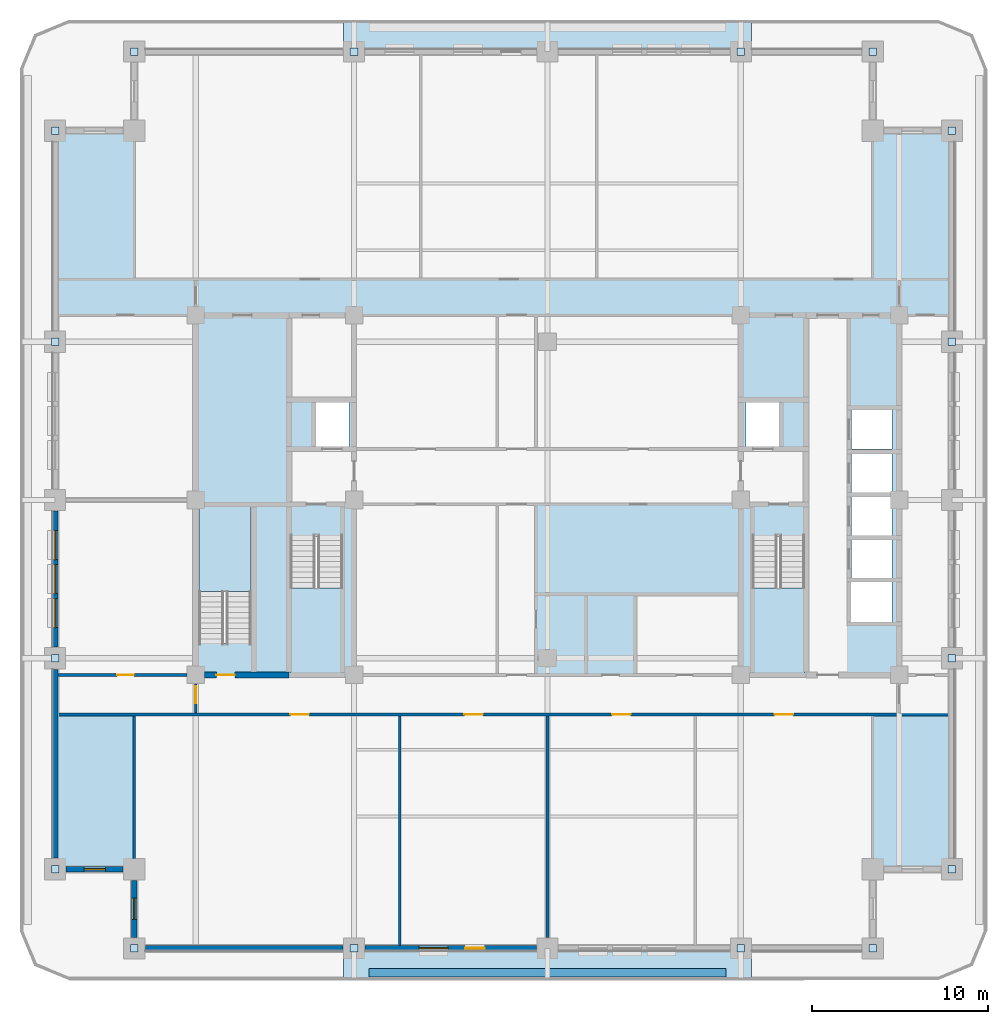
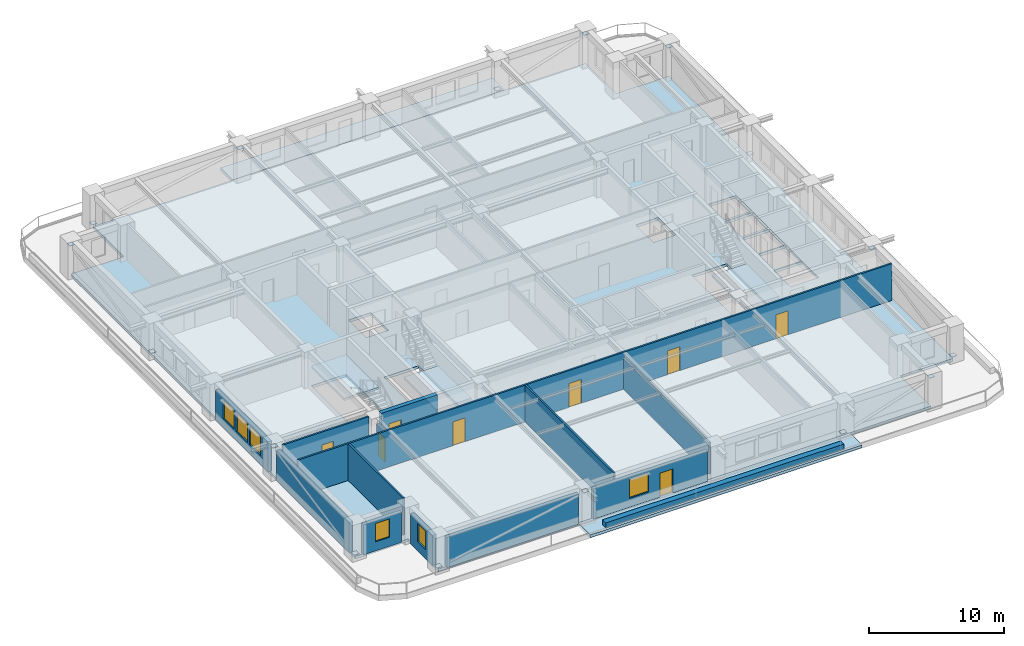
# One storey, part 2 of 14: 16 plates, 14 walls, 8 doors, 6 slabs, 6 windows, 14 openings, 3 elements without a shape of their own.
"""IFC4 building model written with IfcOpenShell, lengths in metres."""

from ifc_helpers import new_model, si_unit, direction, frame, frame_2d, origin, origin_2d, place, context, subcontext, project, spatial, polyline, rectangle, outline, extrude, material, layer, layer_set, type_object, element, fill, aggregate, save


model = new_model("IFC4")

# Units and contexts
model_context = context("Model", 3, precision=1e-05, world=origin(), true_north=direction((0.0, 1.0)))
body_context = subcontext(model_context, "Body", "Model", "MODEL_VIEW")
ifc_project = project(units=[si_unit("LENGTHUNIT", "METRE"), si_unit("AREAUNIT", "SQUARE_METRE"), si_unit("VOLUMEUNIT", "CUBIC_METRE"), si_unit("PLANEANGLEUNIT", "RADIAN"), si_unit("MASSUNIT", "GRAM", prefix="KILO")], contexts=[model_context])

# Site, building, storey
site_placement = place(None, origin())
site = spatial("IfcSite", under=ifc_project, at=site_placement, CompositionType="ELEMENT")
building_placement = place(site_placement, origin())
building = spatial("IfcBuilding", under=site, at=building_placement, Name="Zulmaris Gate Convention Tower", CompositionType="ELEMENT")
storey_placement = place(building_placement, frame((0.0, 0.0, 135.6298828125)))
storey = spatial("IfcBuildingStorey", under=building, at=storey_placement, Name="L34", CompositionType="ELEMENT", Elevation=135.6298828125)

# Plates
ifc_material_1 = material(Name="Steel S460", Category="steel")
ifc_layer_1 = layer(ifc_material_1, 0.02490234375, Name="Steel S460")
ifc_layer_set_1 = layer_set([ifc_layer_1], Name="Steel S460")
plate_type = type_object("IfcPlateType", Name="NP-CAP-440", PredefinedType="USERDEFINED", material=ifc_layer_set_1)
for number, where, z_axis, x_axis, name in (
    (1, (-28.0, -21.0, 0.28759765625), (0.0, 0.0, 1.0), (1.0, 0.0, 0.0), "L34 Steel Node Plate PBR-L34-SW-W-CAP"),
    (2, (-28.0, -9.0, 2.687744140625), (0.0, 0.0, 1.0), (1.0, 0.0, 0.0), "L34 Steel Node Plate PBR-L34-SW-W-CAPB"),
    (3, (-28.0, 9.0, 0.28759765625), (0.0, 0.0, 1.0), (1.0, 0.0, 0.0), "L34 Steel Node Plate PBR-L34-NW-W-CAP"),
    (4, (-28.0, 21.0, 2.687744140625), (0.0, 0.0, 1.0), (1.0, 0.0, 0.0), "L34 Steel Node Plate PBR-L34-NW-W-CAPB"),
    (5, (23.0, -21.0, 0.28759765625), (0.0, 0.0, 1.0), (1.0, 0.0, 0.0), "L34 Steel Node Plate PBR-L34-SE-E-CAP"),
    (6, (23.0, -9.0, 2.687744140625), (0.0, 0.0, 1.0), (1.0, 0.0, 0.0), "L34 Steel Node Plate PBR-L34-SE-E-CAPB"),
    (7, (23.0, 9.0, 0.28759765625), (0.0, 0.0, 1.0), (1.0, 0.0, 0.0), "L34 Steel Node Plate PBR-L34-NE-E-CAP"),
    (8, (23.0, 21.0, 2.687744140625), (0.0, 0.0, 1.0), (1.0, 0.0, 0.0), "L34 Steel Node Plate PBR-L34-NE-E-CAPB"),
    (9, (-23.5, -25.5, 0.28759765625), (0.0, 0.0, 1.0), (1.0, 0.0, 0.0), "L34 Steel Node Plate PBR-L34-SW-S-CAP"),
    (10, (-11.0, -25.5, 2.687744140625), (0.0, 0.0, 1.0), (1.0, 0.0, 0.0), "L34 Steel Node Plate PBR-L34-SW-S-CAPB"),
    (11, (11.0, -25.5, 0.28759765625), (0.0, 0.0, 1.0), (1.0, 0.0, 0.0), "L34 Steel Node Plate PBR-L34-SE-S-CAP"),
    (12, (18.5, -25.5, 2.687744140625), (0.0, 0.0, 1.0), (1.0, 0.0, 0.0), "L34 Steel Node Plate PBR-L34-SE-S-CAPB"),
    (13, (-23.5, 25.5, 0.28759765625), (0.0, 0.0, 1.0), (1.0, 0.0, 0.0), "L34 Steel Node Plate PBR-L34-NW-N-CAP"),
    (14, (-11.0, 25.5, 2.687744140625), (0.0, 0.0, 1.0), (1.0, 0.0, 0.0), "L34 Steel Node Plate PBR-L34-NW-N-CAPB"),
    (15, (11.0, 25.5, 0.28759765625), (0.0, 0.0, 1.0), (1.0, 0.0, 0.0), "L34 Steel Node Plate PBR-L34-NE-N-CAP"),
    (16, (18.5, 25.5, 2.687744140625), (0.0, 0.0, 1.0), (1.0, 0.0, 0.0), "L34 Steel Node Plate PBR-L34-NE-N-CAPB"),
):
    element("IfcPlate", number, at=place(storey_placement, frame(where, z_axis=z_axis, x_axis=x_axis)), inside=storey, type_object=plate_type, Name=name, ObjectType="FLANGE PLATE", PredefinedType="USERDEFINED", context=body_context, shape_type="SweptSolid", body=[
        extrude(rectangle(XDim=0.43994140625, YDim=0.43994140625, at=origin_2d()), origin(), (0.0, 0.0, 1.0), 0.02490234375),
    ])

# Slabs
ifc_material_2 = material(Name="Precast concrete C50/60", Category="concrete")
ifc_layer_2 = layer(ifc_material_2, 0.260009765625, Name="Precast concrete C50/60")
ifc_layer_set_2 = layer_set([ifc_layer_2], Name="Precast concrete C50/60")
slab_type_1 = type_object("IfcSlabType", Name="SL-BAL-260", PredefinedType="FLOOR", material=ifc_layer_set_2)
slab_1_placement = place(storey_placement, frame((0.0, 0.0, -0.25)))
element("IfcSlab", 17, at=slab_1_placement, inside=storey, type_object=slab_type_1, Name="L34 South Tree-Balcony Planter Slab", PredefinedType="FLOOR", context=body_context, shape_type="SweptSolid", body=[
    extrude(outline(polyline([(-11.597900390625, -27.300048828125), (-11.597900390625, -25.5), (11.597900390625, -25.5), (11.597900390625, -27.300048828125), (-11.597900390625, -27.300048828125)])), origin(), (0.0, 0.0, 1.0), 0.260009765625),
])
slab_2_placement = place(storey_placement, frame((0.0, 0.0, -0.25)))
element("IfcSlab", 18, at=slab_2_placement, inside=storey, type_object=slab_type_1, Name="L34 North Tree-Balcony Planter Slab", PredefinedType="FLOOR", context=body_context, shape_type="SweptSolid", body=[
    extrude(outline(polyline([(11.597900390625, 27.300048828125), (11.597900390625, 25.5), (-11.597900390625, 25.5), (-11.597900390625, 27.300048828125), (11.597900390625, 27.300048828125)])), origin(), (0.0, 0.0, 1.0), 0.260009765625),
])
ifc_material_3 = material(Name="Concrete C50/60", Category="concrete")
ifc_layer_3 = layer(ifc_material_3, 0.25, Name="Concrete C50/60")
ifc_layer_set_3 = layer_set([ifc_layer_3], Name="Concrete C50/60")
slab_type_2 = type_object("IfcSlabType", Name="SL-FLR-250", PredefinedType="FLOOR", material=ifc_layer_set_3)
slab_3_placement = place(storey_placement, frame((0.0, 0.0, -0.25)))
element("IfcSlab", 19, at=slab_3_placement, inside=storey, type_object=slab_type_2, Name="L34 Shifted Notched-Square Structural Floor Slab", PredefinedType="FLOOR", context=body_context, shape_type="SweptSolid", body=[
    extrude(outline(polyline([(-23.5, -25.5), (18.5, -25.5), (18.5, -21.0), (23.0, -21.0), (23.0, 21.0), (18.5, 21.0), (18.5, 25.5), (-23.5, 25.5), (-23.5, 21.0), (-28.0, 21.0), (-28.0, -21.0), (-23.5, -21.0), (-23.5, -25.5)]), holes=[polyline([(-14.6201171875, -2.080078125), (-14.6201171875, -9.85009765625), (-11.659912109375, -9.85009765625), (-11.659912109375, -2.080078125), (-14.6201171875, -2.080078125)]), polyline([(11.659912109375, -2.080078125), (11.659912109375, -9.85009765625), (14.6201171875, -9.85009765625), (14.6201171875, -2.080078125), (11.659912109375, -2.080078125)]), polyline([(-16.860107421875, -8.1201171875), (-16.860107421875, -0.35009765625), (-19.820068359375, -0.35009765625), (-19.820068359375, -8.1201171875), (-16.860107421875, -8.1201171875)]), polyline([(-13.199951171875, 3.0), (-11.300048828125, 3.0), (-11.300048828125, 5.60009765625), (-13.199951171875, 5.60009765625), (-13.199951171875, 3.0)]), polyline([(11.300048828125, 3.0), (13.199951171875, 3.0), (13.199951171875, 5.60009765625), (11.300048828125, 5.60009765625), (11.300048828125, 3.0)]), polyline([(17.199951171875, -7.0), (19.60009765625, -7.0), (19.60009765625, -4.60009765625), (17.199951171875, -4.60009765625), (17.199951171875, -7.0)]), polyline([(17.300048828125, -4.5), (19.60009765625, -4.5), (19.60009765625, -2.199951171875), (17.300048828125, -2.199951171875), (17.300048828125, -4.5)]), polyline([(17.300048828125, -2.10009765625), (19.60009765625, -2.10009765625), (19.60009765625, 0.199951171875), (17.300048828125, 0.199951171875), (17.300048828125, -2.10009765625)]), polyline([(17.300048828125, 0.39990234375), (19.60009765625, 0.39990234375), (19.60009765625, 2.699951171875), (17.300048828125, 2.699951171875), (17.300048828125, 0.39990234375)]), polyline([(17.300048828125, 2.89990234375), (19.60009765625, 2.89990234375), (19.60009765625, 5.199951171875), (17.300048828125, 5.199951171875), (17.300048828125, 2.89990234375)])]), origin(), (0.0, 0.0, 1.0), 0.25),
])

# Stair, slab
ifc_material_4 = material(Name="Concrete C45/55", Category="concrete")
stair_type = type_object("IfcStairType", Name="ST-CORE-DOGLEG", PredefinedType="HALF_TURN_STAIR", material=ifc_material_4)
stair_1_placement = place(storey_placement, origin())
stair_1 = element("IfcStair", 20, at=stair_1_placement, inside=storey, type_object=stair_type, Name="L34 Core Exit Stair ST-1", PredefinedType="HALF_TURN_STAIR")
ifc_layer_4 = layer(ifc_material_4, 0.199951171875, Name="Concrete C45/55")
ifc_layer_set_4 = layer_set([ifc_layer_4], Name="Concrete C45/55")
slab_type_3 = type_object("IfcSlabType", Name="SL-LND-200", PredefinedType="LANDING", material=ifc_layer_set_4)
slab_4_placement = place(storey_placement, frame((0.0, 0.0, 1.5849609375)))
slab_4 = element("IfcSlab", 21, at=slab_4_placement, type_object=slab_type_3, Name="ST-1 landing 1", PredefinedType="LANDING", context=body_context, shape_type="SweptSolid", body=[
    extrude(outline(polyline([(-14.6201171875, -5.0), (-14.6201171875, -9.85009765625), (-11.659912109375, -9.85009765625), (-11.659912109375, -5.0), (-14.6201171875, -5.0)])), origin(), (0.0, 0.0, 1.0), 0.2001953125),
])
aggregate(stair_1, [slab_4])

stair_2_placement = place(storey_placement, origin())
stair_2 = element("IfcStair", 22, at=stair_2_placement, inside=storey, type_object=stair_type, Name="L34 Core Exit Stair ST-2", PredefinedType="HALF_TURN_STAIR")
slab_5_placement = place(storey_placement, frame((0.0, 0.0, 1.5849609375)))
slab_5 = element("IfcSlab", 23, at=slab_5_placement, type_object=slab_type_3, Name="ST-2 landing 1", PredefinedType="LANDING", context=body_context, shape_type="SweptSolid", body=[
    extrude(outline(polyline([(11.659912109375, -5.0), (11.659912109375, -9.85009765625), (14.6201171875, -9.85009765625), (14.6201171875, -5.0), (11.659912109375, -5.0)])), origin(), (0.0, 0.0, 1.0), 0.2001953125),
])
aggregate(stair_2, [slab_5])

stair_3_placement = place(storey_placement, origin())
stair_3 = element("IfcStair", 24, at=stair_3_placement, inside=storey, type_object=stair_type, Name="L34 Core Exit Stair ST-3", PredefinedType="HALF_TURN_STAIR")
slab_6_placement = place(storey_placement, frame((0.0, 0.0, 1.5849609375)))
slab_6 = element("IfcSlab", 25, at=slab_6_placement, type_object=slab_type_3, Name="ST-3 landing 1", PredefinedType="LANDING", context=body_context, shape_type="SweptSolid", body=[
    extrude(outline(polyline([(-16.860107421875, -5.199951171875), (-16.860107421875, -0.35009765625), (-19.820068359375, -0.35009765625), (-19.820068359375, -5.199951171875), (-16.860107421875, -5.199951171875)])), origin(), (0.0, 0.0, 1.0), 0.2001953125),
])
aggregate(stair_3, [slab_6])

# Wall, opening, door
ifc_material_5 = material(Name="Concrete C55/67", Category="concrete")
ifc_layer_5 = layer(ifc_material_5, 0.35009765625, Name="Concrete C55/67")
ifc_layer_set_5 = layer_set([ifc_layer_5], Name="Concrete C55/67")
wall_type_1 = type_object("IfcWallType", Name="CORE-350", PredefinedType="SHEAR", material=ifc_layer_set_5)
wall_1_placement = place(storey_placement, frame((-19.49609375, -9.949951171875, 0.0), z_axis=(0.0, 0.0, 1.0), x_axis=(1.0, 0.0, 0.0)))
wall_1 = element("IfcWall", 26, at=wall_1_placement, inside=storey, type_object=wall_type_1, Name="WL-L34-001", PredefinedType="SHEAR", context=body_context, shape_type="SweptSolid", body=[
    extrude(rectangle(XDim=4.796142578125, YDim=0.35009765625, at=frame_2d((2.39794921875, 0.0))), origin(), (0.0, 0.0, 1.0), 3.320068359375),
])
opening_1_placement = place(wall_1_placement, frame((0.6708984375, 0.0, 0.0)))
opening_1 = element("IfcOpeningElement", 27, at=opening_1_placement, cuts=wall_1, Name="Opening D-09", PredefinedType="OPENING", context=body_context, shape_type="SweptSolid", body=[
    extrude(rectangle(XDim=1.050048828125, YDim=2.14990234375, at=frame_2d((0.52490234375, 1.074951171875))), frame((0.0, 0.18505859375, 0.0), z_axis=(0.0, -1.0, 0.0), x_axis=(1.0, 0.0, 0.0)), (0.0, 0.0, 1.0), 0.3701171875),
])
ifc_material_6 = material(Name="Fire-Rated Steel", Category="steel")
door_type_1 = type_object("IfcDoorType", Name="DR-1050-FD", OperationType="NOTDEFINED", PredefinedType="DOOR", material=ifc_material_6)
door_1_placement = place(opening_1_placement, origin())
door_1 = element("IfcDoor", 28, at=door_1_placement, inside=storey, type_object=door_type_1, Name="L34 Exit Stair ST-3 Door 09", OperationType="SINGLE_SWING_RIGHT", OverallHeight=2.14990234375, OverallWidth=1.050048828125, PredefinedType="DOOR", context=body_context, shape_type="SweptSolid", body=[
    extrude(rectangle(XDim=1.050048828125, YDim=2.14990234375, at=frame_2d((0.52490234375, 1.074951171875))), frame((0.0, 0.02490234375, 0.0), z_axis=(0.0, -1.0, 0.0), x_axis=(1.0, 0.0, 0.0)), (0.0, 0.0, 1.0), 0.050048828125),
])
fill(opening_1, door_1)

# Wall, openings, doors
ifc_material_7 = material(Name="Gypsum Metal Stud Partition")
ifc_layer_6 = layer(ifc_material_7, 0.14990234375, Name="Gypsum Metal Stud Partition")
ifc_layer_set_6 = layer_set([ifc_layer_6], Name="Gypsum Metal Stud Partition")
wall_type_2 = type_object("IfcWallType", Name="PART-150", PredefinedType="PARTITIONING", material=ifc_layer_set_6)
wall_2_placement = place(storey_placement, frame((-27.8349609375, -12.199951171875, 0.0), z_axis=(0.0, 0.0, 1.0), x_axis=(1.0, 0.0, 0.0)))
wall_2 = element("IfcWall", 29, at=wall_2_placement, inside=storey, type_object=wall_type_2, Name="WL-L34-021", PredefinedType="PARTITIONING", context=body_context, shape_type="SweptSolid", body=[
    extrude(rectangle(XDim=50.669921875, YDim=0.14990234375, at=frame_2d((25.3349609375, 0.0))), origin(), (0.0, 0.0, 1.0), 3.320068359375),
])
opening_2_placement = place(wall_2_placement, frame((13.2099609375, 0.0, 0.0)))
opening_2 = element("IfcOpeningElement", 30, at=opening_2_placement, cuts=wall_2, Name="Opening D-09", PredefinedType="OPENING", context=body_context, shape_type="SweptSolid", body=[
    extrude(rectangle(XDim=1.050048828125, YDim=2.14990234375, at=frame_2d((0.52490234375, 1.074951171875))), frame((0.0, 0.0849609375, 0.0), z_axis=(0.0, -1.0, 0.0), x_axis=(1.0, 0.0, 0.0)), (0.0, 0.0, 1.0), 0.169921875),
])
opening_3_placement = place(wall_2_placement, frame((23.110107421875, 0.0, 0.0)))
opening_3 = element("IfcOpeningElement", 31, at=opening_3_placement, cuts=wall_2, Name="Opening D-09", PredefinedType="OPENING", context=body_context, shape_type="SweptSolid", body=[
    extrude(rectangle(XDim=1.050048828125, YDim=2.14990234375, at=frame_2d((0.52490234375, 1.074951171875))), frame((0.0, 0.0849609375, 0.0), z_axis=(0.0, -1.0, 0.0), x_axis=(1.0, 0.0, 0.0)), (0.0, 0.0, 1.0), 0.169921875),
])
opening_4_placement = place(wall_2_placement, frame((31.510009765625, 0.0, 0.0)))
opening_4 = element("IfcOpeningElement", 32, at=opening_4_placement, cuts=wall_2, Name="Opening D-09", PredefinedType="OPENING", context=body_context, shape_type="SweptSolid", body=[
    extrude(rectangle(XDim=1.050048828125, YDim=2.14990234375, at=frame_2d((0.52490234375, 1.074951171875))), frame((0.0, 0.0849609375, 0.0), z_axis=(0.0, -1.0, 0.0), x_axis=(1.0, 0.0, 0.0)), (0.0, 0.0, 1.0), 0.169921875),
])
opening_5_placement = place(wall_2_placement, frame((40.760009765625, 0.0, 0.0)))
opening_5 = element("IfcOpeningElement", 33, at=opening_5_placement, cuts=wall_2, Name="Opening D-09", PredefinedType="OPENING", context=body_context, shape_type="SweptSolid", body=[
    extrude(rectangle(XDim=1.050048828125, YDim=2.14990234375, at=frame_2d((0.52490234375, 1.074951171875))), frame((0.0, 0.0849609375, 0.0), z_axis=(0.0, -1.0, 0.0), x_axis=(1.0, 0.0, 0.0)), (0.0, 0.0, 1.0), 0.169921875),
])
door_2_placement = place(opening_2_placement, origin())
door_2 = element("IfcDoor", 34, at=door_2_placement, inside=storey, type_object=door_type_1, Name="L34 Delegate Business Lounge Door 25", OperationType="SINGLE_SWING_RIGHT", OverallHeight=2.14990234375, OverallWidth=1.050048828125, PredefinedType="DOOR", context=body_context, shape_type="SweptSolid", body=[
    extrude(rectangle(XDim=1.050048828125, YDim=2.14990234375, at=frame_2d((0.52490234375, 1.074951171875))), frame((0.0, 0.02490234375, 0.0), z_axis=(0.0, -1.0, 0.0), x_axis=(1.0, 0.0, 0.0)), (0.0, 0.0, 1.0), 0.050048828125),
])
fill(opening_2, door_2)
door_3_placement = place(opening_3_placement, origin())
door_3 = element("IfcDoor", 35, at=door_3_placement, inside=storey, type_object=door_type_1, Name="L34 Commercial Advisory Office Door 26", OperationType="SINGLE_SWING_LEFT", OverallHeight=2.14990234375, OverallWidth=1.050048828125, PredefinedType="DOOR", context=body_context, shape_type="SweptSolid", body=[
    extrude(rectangle(XDim=1.050048828125, YDim=2.14990234375, at=frame_2d((0.52490234375, 1.074951171875))), frame((0.0, 0.02490234375, 0.0), z_axis=(0.0, -1.0, 0.0), x_axis=(1.0, 0.0, 0.0)), (0.0, 0.0, 1.0), 0.050048828125),
])
fill(opening_3, door_3)
door_4_placement = place(opening_4_placement, origin())
door_4 = element("IfcDoor", 36, at=door_4_placement, inside=storey, type_object=door_type_1, Name="L34 Regional Corporate Office Door 27", OperationType="SINGLE_SWING_RIGHT", OverallHeight=2.14990234375, OverallWidth=1.050048828125, PredefinedType="DOOR", context=body_context, shape_type="SweptSolid", body=[
    extrude(rectangle(XDim=1.050048828125, YDim=2.14990234375, at=frame_2d((0.52490234375, 1.074951171875))), frame((0.0, 0.02490234375, 0.0), z_axis=(0.0, -1.0, 0.0), x_axis=(1.0, 0.0, 0.0)), (0.0, 0.0, 1.0), 0.050048828125),
])
fill(opening_4, door_4)
door_5_placement = place(opening_5_placement, origin())
door_5 = element("IfcDoor", 37, at=door_5_placement, inside=storey, type_object=door_type_1, Name="L34 Client Practice Studio Door 28", OperationType="SINGLE_SWING_LEFT", OverallHeight=2.14990234375, OverallWidth=1.050048828125, PredefinedType="DOOR", context=body_context, shape_type="SweptSolid", body=[
    extrude(rectangle(XDim=1.050048828125, YDim=2.14990234375, at=frame_2d((0.52490234375, 1.074951171875))), frame((0.0, 0.02490234375, 0.0), z_axis=(0.0, -1.0, 0.0), x_axis=(1.0, 0.0, 0.0)), (0.0, 0.0, 1.0), 0.050048828125),
])
fill(opening_5, door_5)

# Wall, opening, door
wall_3_placement = place(storey_placement, frame((-27.8349609375, -9.949951171875, 0.0), z_axis=(0.0, 0.0, 1.0), x_axis=(1.0, 0.0, 0.0)))
wall_3 = element("IfcWall", 38, at=wall_3_placement, inside=storey, type_object=wall_type_2, Name="WL-L34-022", PredefinedType="PARTITIONING", context=body_context, shape_type="SweptSolid", body=[
    extrude(rectangle(XDim=7.328857421875, YDim=0.14990234375, at=frame_2d((3.66455078125, 0.0))), origin(), (0.0, 0.0, 1.0), 3.320068359375),
])
opening_6_placement = place(wall_3_placement, frame((3.360107421875, 0.0, 0.0)))
opening_6 = element("IfcOpeningElement", 39, at=opening_6_placement, cuts=wall_3, Name="Opening D-11", PredefinedType="OPENING", context=body_context, shape_type="SweptSolid", body=[
    extrude(rectangle(XDim=0.949951171875, YDim=2.14990234375, at=frame_2d((0.47509765625, 1.074951171875))), frame((0.0, 0.0849609375, 0.0), z_axis=(0.0, -1.0, 0.0), x_axis=(1.0, 0.0, 0.0)), (0.0, 0.0, 1.0), 0.169921875),
])
ifc_material_8 = material(Name="Fire-Rated Timber", Category="wood")
door_type_2 = type_object("IfcDoorType", Name="DR-950-FD", OperationType="NOTDEFINED", PredefinedType="DOOR", material=ifc_material_8)
door_6_placement = place(opening_6_placement, origin())
door_6 = element("IfcDoor", 40, at=door_6_placement, inside=storey, type_object=door_type_2, Name="L34 SW Partner Door 39", OperationType="SINGLE_SWING_RIGHT", OverallHeight=2.14990234375, OverallWidth=0.949951171875, PredefinedType="DOOR", context=body_context, shape_type="SweptSolid", body=[
    extrude(rectangle(XDim=0.949951171875, YDim=2.14990234375, at=frame_2d((0.47509765625, 1.074951171875))), frame((0.0, 0.02490234375, 0.0), z_axis=(0.0, -1.0, 0.0), x_axis=(1.0, 0.0, 0.0)), (0.0, 0.0, 1.0), 0.050048828125),
])
fill(opening_6, door_6)

# Wall
wall_4_placement = place(storey_placement, frame((-23.5, -20.39404296875, 0.0), z_axis=(0.0, 0.0, 1.0), x_axis=(0.0, 1.0, 0.0)))
element("IfcWall", 41, at=wall_4_placement, inside=storey, type_object=wall_type_2, Name="WL-L34-068", PredefinedType="PARTITIONING", context=body_context, shape_type="SweptSolid", body=[
    extrude(rectangle(XDim=8.115966796875, YDim=0.14990234375, at=frame_2d((4.05810546875, 0.0))), origin(), (0.0, 0.0, 1.0), 3.320068359375),
])

# Wall, opening, door
wall_5_placement = place(storey_placement, frame((-20.0, -12.1220703125, 0.0), z_axis=(0.0, 0.0, 1.0), x_axis=(0.0, 1.0, 0.0)))
wall_5 = element("IfcWall", 42, at=wall_5_placement, inside=storey, type_object=wall_type_2, Name="WL-L34-070", PredefinedType="PARTITIONING", context=body_context, shape_type="SweptSolid", body=[
    extrude(rectangle(XDim=1.666015625, YDim=0.14990234375, at=frame_2d((0.8330078125, 0.0))), origin(), (0.0, 0.0, 1.0), 2.81005859375),
])
opening_7_placement = place(wall_5_placement, frame((0.56591796875, 0.0, 0.0)))
opening_7 = element("IfcOpeningElement", 43, at=opening_7_placement, cuts=wall_5, Name="Opening D-11", PredefinedType="OPENING", context=body_context, shape_type="SweptSolid", body=[
    extrude(rectangle(XDim=0.949951171875, YDim=2.14990234375, at=frame_2d((0.47509765625, 1.074951171875))), frame((0.0, 0.0849609375, 0.0), z_axis=(0.0, -1.0, 0.0), x_axis=(1.0, 0.0, 0.0)), (0.0, 0.0, 1.0), 0.169921875),
])
door_7_placement = place(opening_7_placement, origin())
door_7 = element("IfcDoor", 44, at=door_7_placement, inside=storey, type_object=door_type_2, Name="L34 SW Spur Door 37", OperationType="SINGLE_SWING_RIGHT", OverallHeight=2.14990234375, OverallWidth=0.949951171875, PredefinedType="DOOR", context=body_context, shape_type="SweptSolid", body=[
    extrude(rectangle(XDim=0.949951171875, YDim=2.14990234375, at=frame_2d((0.47509765625, 1.074951171875))), frame((0.0, 0.02490234375, 0.0), z_axis=(0.0, -1.0, 0.0), x_axis=(1.0, 0.0, 0.0)), (0.0, 0.0, 1.0), 0.050048828125),
])
fill(opening_7, door_7)

# Walls
wall_6_placement = place(storey_placement, frame((-8.39990234375, -25.3349609375, 0.0), z_axis=(0.0, 0.0, 1.0), x_axis=(0.0, 1.0, 0.0)))
element("IfcWall", 45, at=wall_6_placement, inside=storey, type_object=wall_type_2, Name="WL-L34-072", PredefinedType="PARTITIONING", context=body_context, shape_type="SweptSolid", body=[
    extrude(rectangle(XDim=13.056884765625, YDim=0.14990234375, at=frame_2d((6.5283203125, 0.0))), origin(), (0.0, 0.0, 1.0), 3.320068359375),
])
wall_7_placement = place(storey_placement, frame((0.0, -24.89404296875, 0.0), z_axis=(0.0, 0.0, 1.0), x_axis=(0.0, 1.0, 0.0)))
element("IfcWall", 46, at=wall_7_placement, inside=storey, type_object=wall_type_2, Name="WL-L34-079", PredefinedType="PARTITIONING", context=body_context, shape_type="SweptSolid", body=[
    extrude(rectangle(XDim=12.615966796875, YDim=0.14990234375, at=frame_2d((6.30810546875, 0.0))), origin(), (0.0, 0.0, 1.0), 2.81005859375),
])
ifc_material_9 = material(Name="Botanical Green Glazed Precast Concrete C40/50", Category="concrete")
ifc_layer_7 = layer(ifc_material_9, 0.419921875, Name="Botanical Green Glazed Precast Concrete C40/50")
ifc_layer_set_7 = layer_set([ifc_layer_7], Name="Botanical Green Glazed Precast Concrete C40/50")
wall_type_3 = type_object("IfcWallType", Name="PLANTER-CURB-200", PredefinedType="PARAPET", material=ifc_layer_set_7)
wall_8_placement = place(storey_placement, frame((-10.14990234375, -26.8798828125, -0.0400390625), z_axis=(0.0, 0.0, 1.0), x_axis=(1.0, 0.0, 0.0)))
element("IfcWall", 47, at=wall_8_placement, inside=storey, type_object=wall_type_3, Name="L34 Full-Length Balcony Tree Planter Trough", PredefinedType="PARAPET", context=body_context, shape_type="SweptSolid", body=[
    extrude(rectangle(XDim=20.2998046875, YDim=0.47998046875, at=frame_2d((10.14990234375, 0.0))), origin(), (0.0, 0.0, 1.0), 0.52001953125),
])

# Wall, opening, window
ifc_material_10 = material(Name="Precast concrete C40/50", Category="concrete")
ifc_layer_8 = layer(ifc_material_10, 0.300048828125, Name="Precast concrete C40/50")
ifc_layer_set_8 = layer_set([ifc_layer_8], Name="Precast concrete C40/50")
wall_type_4 = type_object("IfcWallType", Name="PRECAST-PIER-300", PredefinedType="STANDARD", material=ifc_layer_set_8)
wall_9_placement = place(storey_placement, frame((-27.3701171875, -21.0, 0.0), z_axis=(0.0, 0.0, 1.0), x_axis=(1.0, 0.0, 0.0)))
wall_9 = element("IfcWall", 48, at=wall_9_placement, inside=storey, type_object=wall_type_4, Name="EW-L34-NOTCH-SW1_0", PredefinedType="STANDARD", context=body_context, shape_type="SweptSolid", body=[
    extrude(rectangle(XDim=3.240234375, YDim=0.300048828125, at=frame_2d((1.6201171875, 0.0))), origin(), (0.0, 0.0, 1.0), 2.712158203125),
])
opening_8_placement = place(wall_9_placement, frame((1.02001953125, 0.0, 0.820068359375)))
opening_8 = element("IfcOpeningElement", 49, at=opening_8_placement, cuts=wall_9, Name="Opening W-04", PredefinedType="OPENING", context=body_context, shape_type="SweptSolid", body=[
    extrude(rectangle(XDim=1.199951171875, YDim=1.64990234375, at=frame_2d((0.60009765625, 0.824951171875))), frame((0.0, 0.16015625, 0.0), z_axis=(0.0, -1.0, 0.0), x_axis=(1.0, 0.0, 0.0)), (0.0, 0.0, 1.0), 0.320068359375),
])
ifc_material_11 = material(Name="Low-E Laminated Double Glazing in Aluminium Frame", Category="aluminium")
window_type_1 = type_object("IfcWindowType", Name="WIN-1200x2100", PartitioningType="SINGLE_PANEL", PredefinedType="WINDOW", material=ifc_material_11)
window_1_placement = place(opening_8_placement, origin())
window_1 = element("IfcWindow", 50, at=window_1_placement, inside=storey, type_object=window_type_1, Name="WN-EW-L34-NOTCH-SW1_0", OverallHeight=1.64990234375, OverallWidth=1.199951171875, PartitioningType="SINGLE_PANEL", PredefinedType="WINDOW", context=body_context, shape_type="SweptSolid", body=[
    extrude(rectangle(XDim=1.199951171875, YDim=1.64990234375, at=frame_2d((0.60009765625, 0.824951171875))), frame((0.0, 0.030029296875, 0.0), z_axis=(0.0, -1.0, 0.0), x_axis=(1.0, 0.0, 0.0)), (0.0, 0.0, 1.0), 0.06005859375),
])
fill(opening_8, window_1)

wall_10_placement = place(storey_placement, frame((-23.5, -21.6298828125, 0.0), z_axis=(0.0, 0.0, 1.0), x_axis=(0.0, -1.0, 0.0)))
wall_10 = element("IfcWall", 51, at=wall_10_placement, inside=storey, type_object=wall_type_4, Name="EW-L34-NOTCH-SW2_0", PredefinedType="STANDARD", context=body_context, shape_type="SweptSolid", body=[
    extrude(rectangle(XDim=3.240234375, YDim=0.300048828125, at=frame_2d((1.6201171875, 0.0))), origin(), (0.0, 0.0, 1.0), 2.712158203125),
])
opening_9_placement = place(wall_10_placement, frame((1.02001953125, 0.0, 0.820068359375)))
opening_9 = element("IfcOpeningElement", 52, at=opening_9_placement, cuts=wall_10, Name="Opening W-04", PredefinedType="OPENING", context=body_context, shape_type="SweptSolid", body=[
    extrude(rectangle(XDim=1.199951171875, YDim=1.64990234375, at=frame_2d((0.60009765625, 0.824951171875))), frame((0.0, 0.16015625, 0.0), z_axis=(0.0, -1.0, 0.0), x_axis=(1.0, 0.0, 0.0)), (0.0, 0.0, 1.0), 0.320068359375),
])
window_2_placement = place(opening_9_placement, origin())
window_2 = element("IfcWindow", 53, at=window_2_placement, inside=storey, type_object=window_type_1, Name="WN-EW-L34-NOTCH-SW2_0", OverallHeight=1.64990234375, OverallWidth=1.199951171875, PartitioningType="SINGLE_PANEL", PredefinedType="WINDOW", context=body_context, shape_type="SweptSolid", body=[
    extrude(rectangle(XDim=1.199951171875, YDim=1.64990234375, at=frame_2d((0.60009765625, 0.824951171875))), frame((0.0, 0.030029296875, 0.0), z_axis=(0.0, -1.0, 0.0), x_axis=(1.0, 0.0, 0.0)), (0.0, 0.0, 1.0), 0.06005859375),
])
fill(opening_9, window_2)

# Wall
wall_11_placement = place(storey_placement, frame((-22.8701171875, -25.5, 0.0), z_axis=(0.0, 0.0, 1.0), x_axis=(1.0, 0.0, 0.0)))
element("IfcWall", 54, at=wall_11_placement, inside=storey, type_object=wall_type_4, Name="EW-L34-S-0_0", PredefinedType="STANDARD", context=body_context, shape_type="SweptSolid", body=[
    extrude(rectangle(XDim=11.240234375, YDim=0.300048828125, at=frame_2d((5.6201171875, 0.0))), origin(), (0.0, 0.0, 1.0), 2.712158203125),
])

# Wall, openings, door, window
wall_12_placement = place(storey_placement, frame((-10.3701171875, -25.5, 0.0), z_axis=(0.0, 0.0, 1.0), x_axis=(1.0, 0.0, 0.0)))
wall_12 = element("IfcWall", 55, at=wall_12_placement, inside=storey, type_object=wall_type_4, Name="EW-L34-S-1_0", PredefinedType="STANDARD", context=body_context, shape_type="SweptSolid", body=[
    extrude(rectangle(XDim=9.740234375, YDim=0.300048828125, at=frame_2d((4.8701171875, 0.0))), origin(), (0.0, 0.0, 1.0), 2.712158203125),
])
opening_10_placement = place(wall_12_placement, frame((5.693115234375, 0.0, 0.0)))
opening_10 = element("IfcOpeningElement", 56, at=opening_10_placement, cuts=wall_12, Name="Opening D-04", PredefinedType="OPENING", context=body_context, shape_type="SweptSolid", body=[
    extrude(rectangle(XDim=1.10009765625, YDim=2.14990234375, at=frame_2d((0.550048828125, 1.074951171875))), frame((0.0, 0.16015625, 0.0), z_axis=(0.0, -1.0, 0.0), x_axis=(1.0, 0.0, 0.0)), (0.0, 0.0, 1.0), 0.320068359375),
])
opening_11_placement = place(wall_12_placement, frame((3.071044921875, 0.0, 0.800048828125)))
opening_11 = element("IfcOpeningElement", 57, at=opening_11_placement, cuts=wall_12, Name="Opening W-08", PredefinedType="OPENING", context=body_context, shape_type="SweptSolid", body=[
    extrude(rectangle(XDim=1.64990234375, YDim=1.699951171875, at=frame_2d((0.824951171875, 0.85009765625))), frame((0.0, 0.16015625, 0.0), z_axis=(0.0, -1.0, 0.0), x_axis=(1.0, 0.0, 0.0)), (0.0, 0.0, 1.0), 0.320068359375),
])
ifc_material_12 = material(Name="Anodised Aluminium and Laminated Glass", Category="aluminium")
door_type_3 = type_object("IfcDoorType", Name="ED-1100", OperationType="SINGLE_SWING_RIGHT", PredefinedType="DOOR", material=ifc_material_12)
door_8_placement = place(opening_10_placement, origin())
door_8 = element("IfcDoor", 58, at=door_8_placement, inside=storey, type_object=door_type_3, Name="L34 S Planted Terrace Door", OperationType="SINGLE_SWING_RIGHT", OverallHeight=2.14990234375, OverallWidth=1.10009765625, PredefinedType="DOOR", context=body_context, shape_type="SweptSolid", body=[
    extrude(rectangle(XDim=1.10009765625, YDim=2.14990234375, at=frame_2d((0.550048828125, 1.074951171875))), frame((0.0, 0.02490234375, 0.0), z_axis=(0.0, -1.0, 0.0), x_axis=(1.0, 0.0, 0.0)), (0.0, 0.0, 1.0), 0.050048828125),
])
fill(opening_10, door_8)
window_type_2 = type_object("IfcWindowType", Name="WIN-1650x2150", PartitioningType="SINGLE_PANEL", PredefinedType="WINDOW", material=ifc_material_11)
window_3_placement = place(opening_11_placement, origin())
window_3 = element("IfcWindow", 59, at=window_3_placement, inside=storey, type_object=window_type_2, Name="WN-EW-L34-S-1_0-2", OverallHeight=1.699951171875, OverallWidth=1.64990234375, PartitioningType="SINGLE_PANEL", PredefinedType="WINDOW", context=body_context, shape_type="SweptSolid", body=[
    extrude(rectangle(XDim=1.64990234375, YDim=1.699951171875, at=frame_2d((0.824951171875, 0.85009765625))), frame((0.0, 0.030029296875, 0.0), z_axis=(0.0, -1.0, 0.0), x_axis=(1.0, 0.0, 0.0)), (0.0, 0.0, 1.0), 0.06005859375),
])
fill(opening_11, window_3)

# Wall
wall_13_placement = place(storey_placement, frame((-28.0, -9.6298828125, 0.0), z_axis=(0.0, 0.0, 1.0), x_axis=(0.0, -1.0, 0.0)))
element("IfcWall", 60, at=wall_13_placement, inside=storey, type_object=wall_type_4, Name="EW-L34-W-0_0", PredefinedType="STANDARD", context=body_context, shape_type="SweptSolid", body=[
    extrude(rectangle(XDim=10.740234375, YDim=0.300048828125, at=frame_2d((5.3701171875, 0.0))), origin(), (0.0, 0.0, 1.0), 2.712158203125),
])

# Wall, openings, windows
wall_14_placement = place(storey_placement, frame((-28.0, -0.6298828125, 0.0), z_axis=(0.0, 0.0, 1.0), x_axis=(0.0, -1.0, 0.0)))
wall_14 = element("IfcWall", 61, at=wall_14_placement, inside=storey, type_object=wall_type_4, Name="EW-L34-W-1_0", PredefinedType="STANDARD", context=body_context, shape_type="SweptSolid", body=[
    extrude(rectangle(XDim=7.740234375, YDim=0.300048828125, at=frame_2d((3.8701171875, 0.0))), origin(), (0.0, 0.0, 1.0), 2.712158203125),
])
opening_12_placement = place(wall_14_placement, frame((1.110107421875, 0.0, 0.800048828125)))
opening_12 = element("IfcOpeningElement", 62, at=opening_12_placement, cuts=wall_14, Name="Opening W-08", PredefinedType="OPENING", context=body_context, shape_type="SweptSolid", body=[
    extrude(rectangle(XDim=1.64990234375, YDim=1.699951171875, at=frame_2d((0.824951171875, 0.85009765625))), frame((0.0, 0.16015625, 0.0), z_axis=(0.0, -1.0, 0.0), x_axis=(1.0, 0.0, 0.0)), (0.0, 0.0, 1.0), 0.320068359375),
])
opening_13_placement = place(wall_14_placement, frame((3.044921875, 0.0, 0.800048828125)))
opening_13 = element("IfcOpeningElement", 63, at=opening_13_placement, cuts=wall_14, Name="Opening W-08", PredefinedType="OPENING", context=body_context, shape_type="SweptSolid", body=[
    extrude(rectangle(XDim=1.64990234375, YDim=1.699951171875, at=frame_2d((0.824951171875, 0.85009765625))), frame((0.0, 0.16015625, 0.0), z_axis=(0.0, -1.0, 0.0), x_axis=(1.0, 0.0, 0.0)), (0.0, 0.0, 1.0), 0.320068359375),
])
opening_14_placement = place(wall_14_placement, frame((4.97998046875, 0.0, 0.800048828125)))
opening_14 = element("IfcOpeningElement", 64, at=opening_14_placement, cuts=wall_14, Name="Opening W-08", PredefinedType="OPENING", context=body_context, shape_type="SweptSolid", body=[
    extrude(rectangle(XDim=1.64990234375, YDim=1.699951171875, at=frame_2d((0.824951171875, 0.85009765625))), frame((0.0, 0.16015625, 0.0), z_axis=(0.0, -1.0, 0.0), x_axis=(1.0, 0.0, 0.0)), (0.0, 0.0, 1.0), 0.320068359375),
])
window_4_placement = place(opening_12_placement, origin())
window_4 = element("IfcWindow", 65, at=window_4_placement, inside=storey, type_object=window_type_2, Name="WN-EW-L34-W-1_0-1", OverallHeight=1.699951171875, OverallWidth=1.64990234375, PartitioningType="SINGLE_PANEL", PredefinedType="WINDOW", context=body_context, shape_type="SweptSolid", body=[
    extrude(rectangle(XDim=1.64990234375, YDim=1.699951171875, at=frame_2d((0.824951171875, 0.85009765625))), frame((0.0, 0.030029296875, 0.0), z_axis=(0.0, -1.0, 0.0), x_axis=(1.0, 0.0, 0.0)), (0.0, 0.0, 1.0), 0.06005859375),
])
fill(opening_12, window_4)
window_5_placement = place(opening_13_placement, origin())
window_5 = element("IfcWindow", 66, at=window_5_placement, inside=storey, type_object=window_type_2, Name="WN-EW-L34-W-1_0-2", OverallHeight=1.699951171875, OverallWidth=1.64990234375, PartitioningType="SINGLE_PANEL", PredefinedType="WINDOW", context=body_context, shape_type="SweptSolid", body=[
    extrude(rectangle(XDim=1.64990234375, YDim=1.699951171875, at=frame_2d((0.824951171875, 0.85009765625))), frame((0.0, 0.030029296875, 0.0), z_axis=(0.0, -1.0, 0.0), x_axis=(1.0, 0.0, 0.0)), (0.0, 0.0, 1.0), 0.06005859375),
])
fill(opening_13, window_5)
window_6_placement = place(opening_14_placement, origin())
window_6 = element("IfcWindow", 67, at=window_6_placement, inside=storey, type_object=window_type_2, Name="WN-EW-L34-W-1_0-3", OverallHeight=1.699951171875, OverallWidth=1.64990234375, PartitioningType="SINGLE_PANEL", PredefinedType="WINDOW", context=body_context, shape_type="SweptSolid", body=[
    extrude(rectangle(XDim=1.64990234375, YDim=1.699951171875, at=frame_2d((0.824951171875, 0.85009765625))), frame((0.0, 0.030029296875, 0.0), z_axis=(0.0, -1.0, 0.0), x_axis=(1.0, 0.0, 0.0)), (0.0, 0.0, 1.0), 0.06005859375),
])
fill(opening_14, window_6)

save(model, "model.ifc")
